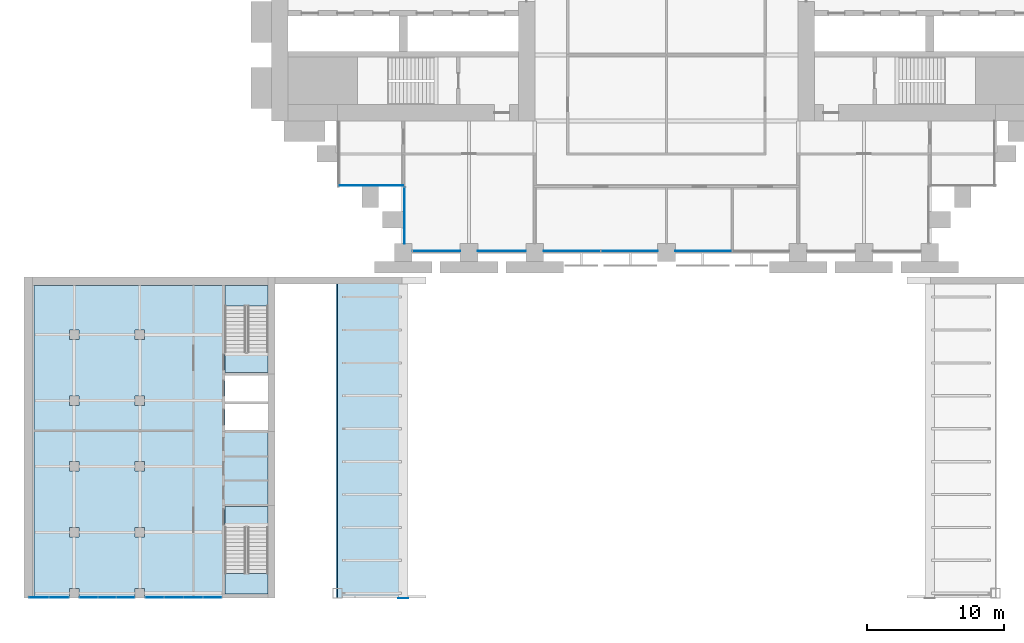
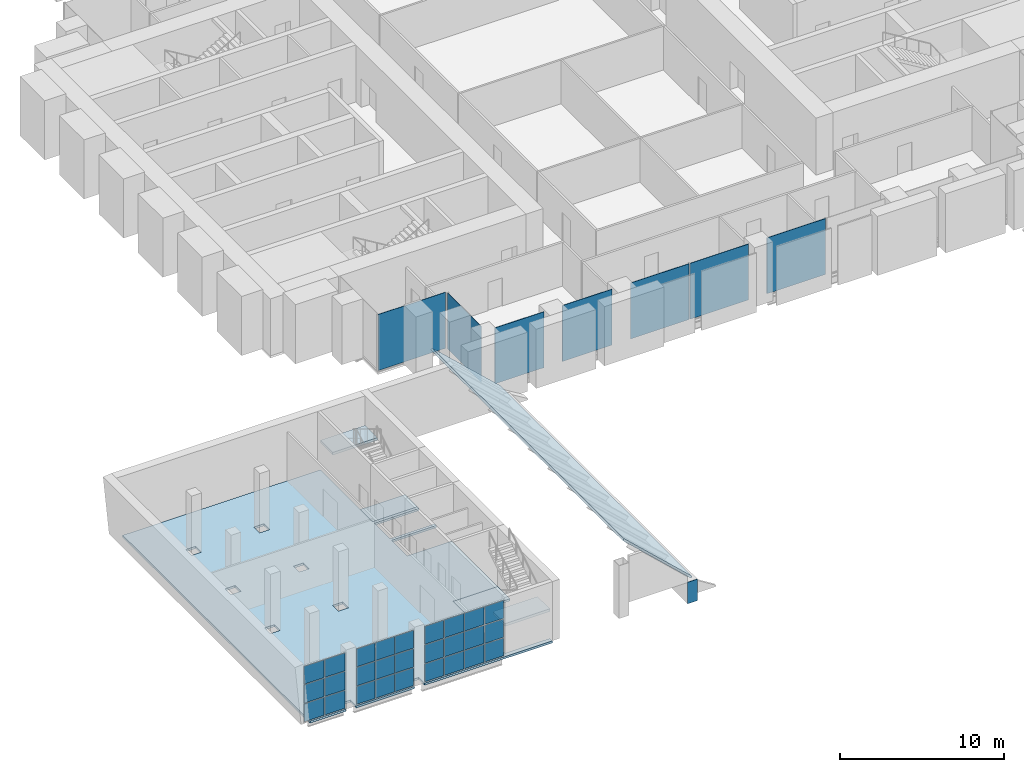
# One storey, part 16 of 30: 35 plates, 6 slabs, 8 elements without a shape of their own.
"""IFC4 building model written with IfcOpenShell, lengths in metres."""

from ifc_helpers import new_model, si_unit, direction, frame, origin, origin_2d, place, context, subcontext, project, spatial, polyline, rectangle, outline, extrude, material, layer, layer_set, type_object, element, aggregate, save


model = new_model("IFC4")

# Units and contexts
model_context = context("Model", 3, precision=1e-05, world=origin(), true_north=direction((0.0, 1.0)))
body_context = subcontext(model_context, "Body", "Model", "MODEL_VIEW")
ifc_project = project(units=[si_unit("LENGTHUNIT", "METRE"), si_unit("AREAUNIT", "SQUARE_METRE"), si_unit("VOLUMEUNIT", "CUBIC_METRE"), si_unit("PLANEANGLEUNIT", "RADIAN"), si_unit("MASSUNIT", "GRAM", prefix="KILO")], contexts=[model_context])

# Site, building, storey
site_placement = place(None, origin())
site = spatial("IfcSite", under=ifc_project, at=site_placement, CompositionType="ELEMENT")
building_placement = place(site_placement, origin())
building = spatial("IfcBuilding", under=site, at=building_placement, Name="Baori Bourse Tower", CompositionType="ELEMENT")
storey_placement = place(building_placement, frame((0.0, 0.0, 17.0)))
storey = spatial("IfcBuildingStorey", under=building, at=storey_placement, Name="L02", CompositionType="ELEMENT", Elevation=17.0)

# Curtain wall, plates
ifc_material_1 = material(Name="Pale anodised aluminium", Category="aluminium")
curtain_wall_type_1 = type_object("IfcCurtainWallType", Name="CW1 Curtain wall", PredefinedType="NOTDEFINED", material=ifc_material_1)
curtain_wall_1_placement = place(storey_placement, origin())
curtain_wall_1 = element("IfcCurtainWall", 1, at=curtain_wall_1_placement, inside=storey, type_object=curtain_wall_type_1, Name="Curtain wall CW1 L02 11", PredefinedType="NOTDEFINED")
ifc_material_2 = material(Name="Clear glass", Category="glass")
ifc_layer_1 = layer(ifc_material_2, 0.033935546875)
ifc_layer_set_1 = layer_set([ifc_layer_1], Name="CW1 Curtain wall panel")
plate_type_1 = type_object("IfcPlateType", Name="CW1 Curtain wall panel", PredefinedType="CURTAIN_PANEL", material=ifc_layer_set_1)
plate_1_placement = place(storey_placement, frame((12.030029296875, 0.10009765625, 0.080078125), z_axis=(0.0, 0.0, 1.0), x_axis=(1.0, 0.0, 0.0)))
plate_1 = element("IfcPlate", 2, at=plate_1_placement, type_object=plate_type_1, Name="Curtain wall CW1 panel", PredefinedType="CURTAIN_PANEL", context=body_context, shape_type="SweptSolid", body=[
    extrude(rectangle(XDim=3.43994140625, YDim=0.033935546875, at=origin_2d()), origin(), (0.0, 0.0, 1.0), 4.159912109375),
])
plate_2_placement = place(storey_placement, frame((16.800048828125, 0.10009765625, 0.080078125), z_axis=(0.0, 0.0, 1.0), x_axis=(1.0, 0.0, 0.0)))
plate_2 = element("IfcPlate", 3, at=plate_2_placement, type_object=plate_type_1, Name="Curtain wall CW1 panel", PredefinedType="CURTAIN_PANEL", context=body_context, shape_type="SweptSolid", body=[
    extrude(rectangle(XDim=3.5, YDim=0.033935546875, at=origin_2d()), origin(), (0.0, 0.0, 1.0), 4.159912109375),
])
plate_3_placement = place(storey_placement, frame((21.909912109375, 0.10009765625, 0.080078125), z_axis=(0.0, 0.0, 1.0), x_axis=(1.0, 0.0, 0.0)))
plate_3 = element("IfcPlate", 4, at=plate_3_placement, type_object=plate_type_1, Name="Curtain wall CW1 panel", PredefinedType="CURTAIN_PANEL", context=body_context, shape_type="SweptSolid", body=[
    extrude(rectangle(XDim=4.1201171875, YDim=0.033935546875, at=origin_2d()), origin(), (0.0, 0.0, 1.0), 4.159912109375),
])
plate_4_placement = place(storey_placement, frame((26.090087890625, 0.10009765625, 0.080078125), z_axis=(0.0, 0.0, 1.0), x_axis=(1.0, 0.0, 0.0)))
plate_4 = element("IfcPlate", 5, at=plate_4_placement, type_object=plate_type_1, Name="Curtain wall CW1 panel", PredefinedType="CURTAIN_PANEL", context=body_context, shape_type="SweptSolid", body=[
    extrude(rectangle(XDim=4.1201171875, YDim=0.033935546875, at=origin_2d()), origin(), (0.0, 0.0, 1.0), 4.159912109375),
])
plate_5_placement = place(storey_placement, frame((31.510009765625, 0.10009765625, 0.080078125), z_axis=(0.0, 0.0, 1.0), x_axis=(1.0, 0.0, 0.0)))
plate_5 = element("IfcPlate", 6, at=plate_5_placement, type_object=plate_type_1, Name="Curtain wall CW1 panel", PredefinedType="CURTAIN_PANEL", context=body_context, shape_type="SweptSolid", body=[
    extrude(rectangle(XDim=4.1201171875, YDim=0.033935546875, at=origin_2d()), origin(), (0.0, 0.0, 1.0), 4.159912109375),
])
aggregate(curtain_wall_1, [plate_1, plate_2, plate_3, plate_4, plate_5])

# Curtain wall, plate
ifc_material_3 = material(Name="Pale anodised aluminium", Category="aluminium")
curtain_wall_type_2 = type_object("IfcCurtainWallType", Name="CW2 Curtain wall", PredefinedType="NOTDEFINED", material=ifc_material_3)
curtain_wall_2_placement = place(storey_placement, origin())
curtain_wall_2 = element("IfcCurtainWall", 7, at=curtain_wall_2_placement, inside=storey, type_object=curtain_wall_type_2, Name="Curtain wall CW2 L02 9", PredefinedType="NOTDEFINED")
ifc_material_4 = material(Name="Clear glass", Category="glass")
ifc_layer_2 = layer(ifc_material_4, 0.030029296875)
ifc_layer_set_2 = layer_set([ifc_layer_2], Name="CW2 Curtain wall panel")
plate_type_2 = type_object("IfcPlateType", Name="CW2 Curtain wall panel", PredefinedType="CURTAIN_PANEL", material=ifc_layer_set_2)
plate_6_placement = place(storey_placement, frame((7.2275390625, 4.889892578125, 0.070068359375), z_axis=(0.0, 0.0, 1.0), x_axis=(1.0, 0.0, 0.0)))
plate_6 = element("IfcPlate", 8, at=plate_6_placement, type_object=plate_type_2, Name="Curtain wall CW2 panel", PredefinedType="CURTAIN_PANEL", context=body_context, shape_type="SweptSolid", body=[
    extrude(rectangle(XDim=4.7451171875, YDim=0.030029296875, at=origin_2d()), origin(), (0.0, 0.0, 1.0), 4.169921875),
])
aggregate(curtain_wall_2, [plate_6])

curtain_wall_3_placement = place(storey_placement, origin())
curtain_wall_3 = element("IfcCurtainWall", 9, at=curtain_wall_3_placement, inside=storey, type_object=curtain_wall_type_2, Name="Curtain wall CW2 L02 10", PredefinedType="NOTDEFINED")
plate_7_placement = place(storey_placement, frame((9.68994140625, 2.697509765625, 0.070068359375), z_axis=(0.0, 0.0, 1.0), x_axis=(0.0, -1.0, 0.0)))
plate_7 = element("IfcPlate", 10, at=plate_7_placement, type_object=plate_type_2, Name="Curtain wall CW2 panel", PredefinedType="CURTAIN_PANEL", context=body_context, shape_type="SweptSolid", body=[
    extrude(rectangle(XDim=4.094970703125, YDim=0.030029296875, at=origin_2d()), origin(), (0.0, 0.0, 1.0), 4.169921875),
])
aggregate(curtain_wall_3, [plate_7])

# Stair, slab
ifc_material_5 = material(Name="Concrete f'c 40 MPa", Category="concrete")
stair_type = type_object("IfcStairType", Name="Wing exit stair 1500", PredefinedType="HALF_TURN_STAIR", material=ifc_material_5)
stair_1_placement = place(storey_placement, origin())
stair_1 = element("IfcStair", 11, at=stair_1_placement, inside=storey, type_object=stair_type, Name="L02 Exit stair WA", PredefinedType="HALF_TURN_STAIR")
ifc_material_6 = material(Name="Concrete f'c 40 MPa", Category="concrete")
ifc_layer_3 = layer(ifc_material_6, 0.159912109375)
ifc_layer_set_3 = layer_set([ifc_layer_3], Name="Exit stair arrival landing 160")
slab_type_1 = type_object("IfcSlabType", Name="Exit stair arrival landing 160", PredefinedType="LANDING", material=ifc_layer_set_3)
slab_1_placement = place(storey_placement, frame((0.0, 0.0, -0.159912109375)))
slab_1 = element("IfcSlab", 12, at=slab_1_placement, type_object=slab_type_1, Name="L02 exit stair WA arrival landing", PredefinedType="LANDING", context=body_context, shape_type="SweptSolid", body=[
    extrude(outline(polyline([(-0.25, -7.258544921875), (-3.39990234375, -7.258544921875), (-3.39990234375, -8.760009765625), (-0.25, -8.760009765625), (-0.25, -7.258544921875)])), origin(), (0.0, 0.0, 1.0), 0.159912109375),
])

stair_2_placement = place(storey_placement, origin())
stair_2 = element("IfcStair", 13, at=stair_2_placement, inside=storey, type_object=stair_type, Name="L02 Exit stair WB", PredefinedType="HALF_TURN_STAIR")
slab_2_placement = place(storey_placement, frame((0.0, 0.0, -0.159912109375)))
slab_2 = element("IfcSlab", 14, at=slab_2_placement, type_object=slab_type_1, Name="L02 exit stair WB arrival landing", PredefinedType="LANDING", context=body_context, shape_type="SweptSolid", body=[
    extrude(outline(polyline([(-3.39990234375, -20.04150390625), (-0.25, -20.04150390625), (-0.25, -18.5400390625), (-3.39990234375, -18.5400390625), (-3.39990234375, -20.04150390625)])), origin(), (0.0, 0.0, 1.0), 0.159912109375),
])

# Plate
ifc_material_7 = material(Name="Steel A572 Gr 50", Category="steel")
ifc_layer_4 = layer(ifc_material_7, 0.030029296875)
ifc_layer_set_4 = layer_set([ifc_layer_4], Name="Girder end plate 30")
plate_type_3 = type_object("IfcPlateType", Name="Girder end plate 30", PredefinedType="SHEET", material=ifc_layer_set_4)
plate_8_placement = place(storey_placement, frame((0.0, 0.0, -0.55517578125)))
element("IfcPlate", 15, at=plate_8_placement, inside=storey, type_object=plate_type_3, Name="Girder end plate", PredefinedType="SHEET", context=body_context, shape_type="SweptSolid", body=[
    extrude(outline(polyline([(9.25, -25.22998046875), (9.949951171875, -25.22998046875), (9.949951171875, -25.199951171875), (9.25, -25.199951171875), (9.25, -25.22998046875)])), origin(), (0.0, 0.0, 1.0), 1.599853515625),
])

# Slabs
ifc_material_8 = material(Name="Concrete f'c 40 MPa", Category="concrete")
ifc_layer_5 = layer(ifc_material_8, 0.14990234375)
ifc_layer_set_5 = layer_set([ifc_layer_5], Name="Hall roof deck 150")
slab_type_2 = type_object("IfcSlabType", Name="Hall roof deck 150", PredefinedType="ROOF", material=ifc_layer_set_5)
slab_3_placement = place(storey_placement, frame((4.800048828125, -25.199951171875, 5.8310546875), z_axis=(0.682610869384, 0.0, 0.730782047534), x_axis=(0.730782047534, 0.0, -0.682610869384)))
element("IfcSlab", 16, at=slab_3_placement, inside=storey, type_object=slab_type_2, Name="wing/L02/deck/001", PredefinedType="ROOF", context=body_context, shape_type="SweptSolid", body=[
    extrude(outline(polyline([(0.0, 0.0), (6.56837266914413, 0.0), (6.56837266914413, 23.39990234375), (0.0, 23.39990234375), (0.0, 0.0)])), origin(), (0.0, 0.0, -1.0), 0.14990234375),
])
ifc_material_9 = material(Name="Concrete f'c 40 MPa", Category="concrete")
ifc_layer_6 = layer(ifc_material_9, 0.159912109375)
ifc_layer_set_6 = layer_set([ifc_layer_6], Name="Wing floor slab 160")
slab_type_3 = type_object("IfcSlabType", Name="Wing floor slab 160", PredefinedType="FLOOR", material=ifc_layer_set_6)
slab_4_placement = place(storey_placement, frame((0.0, 0.0, -0.159912109375)))
element("IfcSlab", 17, at=slab_4_placement, inside=storey, type_object=slab_type_3, Name="wing/L02/Wfloor/001", PredefinedType="FLOOR", context=body_context, shape_type="SweptSolid", body=[
    extrude(outline(polyline([(-0.25, -10.860107421875), (-3.39990234375, -10.860107421875), (-3.39990234375, -8.9599609375), (-0.25, -8.9599609375), (-0.25, -8.760009765625), (-3.39990234375, -8.760009765625), (-3.39990234375, -2.39990234375), (-17.310791015625, -2.39990234375), (-17.310791015625, -25.199951171875), (-14.75, -25.199951171875), (-14.75, -24.5), (-14.050048828125, -24.5), (-14.050048828125, -25.199951171875), (-9.949951171875, -25.199951171875), (-9.949951171875, -24.5), (-9.25, -24.5), (-9.25, -25.199951171875), (-0.25, -25.199951171875), (-0.25, -24.89990234375), (-3.39990234375, -24.89990234375), (-3.39990234375, -18.5400390625), (-0.25, -18.5400390625), (-0.25, -12.9599609375), (-3.39990234375, -12.9599609375), (-3.39990234375, -11.06005859375), (-0.25, -11.06005859375), (-0.25, -10.860107421875)]), holes=[polyline([(-14.75, -20.050048828125), (-14.75, -20.75), (-14.050048828125, -20.75), (-14.050048828125, -20.050048828125), (-14.75, -20.050048828125)]), polyline([(-14.050048828125, -15.25), (-14.75, -15.25), (-14.75, -15.949951171875), (-14.050048828125, -15.949951171875), (-14.050048828125, -15.25)]), polyline([(-14.050048828125, -11.14990234375), (-14.050048828125, -10.449951171875), (-14.75, -10.449951171875), (-14.75, -11.14990234375), (-14.050048828125, -11.14990234375)]), polyline([(-14.75, -6.35009765625), (-14.050048828125, -6.35009765625), (-14.050048828125, -5.64990234375), (-14.75, -5.64990234375), (-14.75, -6.35009765625)]), polyline([(-9.25, -20.050048828125), (-9.949951171875, -20.050048828125), (-9.949951171875, -20.75), (-9.25, -20.75), (-9.25, -20.050048828125)]), polyline([(-9.25, -15.949951171875), (-9.25, -15.25), (-9.949951171875, -15.25), (-9.949951171875, -15.949951171875), (-9.25, -15.949951171875)]), polyline([(-9.949951171875, -11.14990234375), (-9.25, -11.14990234375), (-9.25, -10.449951171875), (-9.949951171875, -10.449951171875), (-9.949951171875, -11.14990234375)]), polyline([(-9.949951171875, -5.64990234375), (-9.949951171875, -6.35009765625), (-9.25, -6.35009765625), (-9.25, -5.64990234375), (-9.949951171875, -5.64990234375)])]), origin(), (0.0, 0.0, 1.0), 0.159912109375),
])

# Curtain wall, plates
ifc_material_10 = material(Name="Pale anodised aluminium", Category="aluminium")
ifc_layer_7 = layer(ifc_material_10, 0.10009765625)
ifc_layer_set_7 = layer_set([ifc_layer_7], Name="Wing curtain wall")
curtain_wall_type_3 = type_object("IfcCurtainWallType", Name="Wing curtain wall", PredefinedType="NOTDEFINED", material=ifc_layer_set_7)
curtain_wall_4_placement = place(storey_placement, origin())
curtain_wall_4 = element("IfcCurtainWall", 18, at=curtain_wall_4_placement, inside=storey, type_object=curtain_wall_type_3, Name="wing/L02/Wcw/001", PredefinedType="NOTDEFINED")
ifc_material_11 = material(Name="Clear glass", Category="glass")
ifc_layer_8 = layer(ifc_material_11, 0.028076171875)
ifc_layer_set_8 = layer_set([ifc_layer_8], Name="Wing glass panel 28")
plate_type_4 = type_object("IfcPlateType", Name="Wing glass panel 28", PredefinedType="CURTAIN_PANEL", material=ifc_layer_set_8)
plate_9_placement = place(storey_placement, frame((-16.98486328125, -25.14990234375, 0.06005859375), z_axis=(0.0, 0.0, 1.0), x_axis=(1.0, 0.0, 0.0)))
plate_9 = element("IfcPlate", 19, at=plate_9_placement, type_object=plate_type_4, Name="X12 panel 1.1", PredefinedType="CURTAIN_PANEL", context=body_context, shape_type="SweptSolid", body=[
    extrude(rectangle(XDim=1.409912109375, YDim=0.028076171875, at=origin_2d()), origin(), (0.0, 0.0, 1.0), 1.3232421875),
])
plate_10_placement = place(storey_placement, frame((-16.98486328125, -25.14990234375, 1.443359375), z_axis=(0.0, 0.0, 1.0), x_axis=(1.0, 0.0, 0.0)))
plate_10 = element("IfcPlate", 20, at=plate_10_placement, type_object=plate_type_4, Name="X12 panel 1.2", PredefinedType="CURTAIN_PANEL", context=body_context, shape_type="SweptSolid", body=[
    extrude(rectangle(XDim=1.409912109375, YDim=0.028076171875, at=origin_2d()), origin(), (0.0, 0.0, 1.0), 1.353271484375),
])
plate_11_placement = place(storey_placement, frame((-16.98486328125, -25.14990234375, 2.856689453125), z_axis=(0.0, 0.0, 1.0), x_axis=(1.0, 0.0, 0.0)))
plate_11 = element("IfcPlate", 21, at=plate_11_placement, type_object=plate_type_4, Name="X12 panel 1.3", PredefinedType="CURTAIN_PANEL", context=body_context, shape_type="SweptSolid", body=[
    extrude(rectangle(XDim=1.409912109375, YDim=0.028076171875, at=origin_2d()), origin(), (0.0, 0.0, 1.0), 1.3232421875),
])
plate_12_placement = place(storey_placement, frame((-15.514892578125, -25.14990234375, 0.06005859375), z_axis=(0.0, 0.0, 1.0), x_axis=(1.0, 0.0, 0.0)))
plate_12 = element("IfcPlate", 22, at=plate_12_placement, type_object=plate_type_4, Name="X12 panel 2.1", PredefinedType="CURTAIN_PANEL", context=body_context, shape_type="SweptSolid", body=[
    extrude(rectangle(XDim=1.409912109375, YDim=0.028076171875, at=origin_2d()), origin(), (0.0, 0.0, 1.0), 1.3232421875),
])
plate_13_placement = place(storey_placement, frame((-15.514892578125, -25.14990234375, 1.443359375), z_axis=(0.0, 0.0, 1.0), x_axis=(1.0, 0.0, 0.0)))
plate_13 = element("IfcPlate", 23, at=plate_13_placement, type_object=plate_type_4, Name="X12 panel 2.2", PredefinedType="CURTAIN_PANEL", context=body_context, shape_type="SweptSolid", body=[
    extrude(rectangle(XDim=1.409912109375, YDim=0.028076171875, at=origin_2d()), origin(), (0.0, 0.0, 1.0), 1.353271484375),
])
plate_14_placement = place(storey_placement, frame((-15.514892578125, -25.14990234375, 2.856689453125), z_axis=(0.0, 0.0, 1.0), x_axis=(1.0, 0.0, 0.0)))
plate_14 = element("IfcPlate", 24, at=plate_14_placement, type_object=plate_type_4, Name="X12 panel 2.3", PredefinedType="CURTAIN_PANEL", context=body_context, shape_type="SweptSolid", body=[
    extrude(rectangle(XDim=1.409912109375, YDim=0.028076171875, at=origin_2d()), origin(), (0.0, 0.0, 1.0), 1.3232421875),
])
aggregate(curtain_wall_4, [plate_9, plate_10, plate_11, plate_12, plate_13, plate_14])

curtain_wall_5_placement = place(storey_placement, origin())
curtain_wall_5 = element("IfcCurtainWall", 25, at=curtain_wall_5_placement, inside=storey, type_object=curtain_wall_type_3, Name="wing/L02/Wcw/002", PredefinedType="NOTDEFINED")
plate_15_placement = place(storey_placement, frame((-13.3515625, -25.14990234375, 0.06005859375), z_axis=(0.0, 0.0, 1.0), x_axis=(1.0, 0.0, 0.0)))
plate_15 = element("IfcPlate", 26, at=plate_15_placement, type_object=plate_type_4, Name="X12 panel 1.1", PredefinedType="CURTAIN_PANEL", context=body_context, shape_type="SweptSolid", body=[
    extrude(rectangle(XDim=1.276611328125, YDim=0.028076171875, at=origin_2d()), origin(), (0.0, 0.0, 1.0), 1.3232421875),
])
plate_16_placement = place(storey_placement, frame((-13.3515625, -25.14990234375, 1.443359375), z_axis=(0.0, 0.0, 1.0), x_axis=(1.0, 0.0, 0.0)))
plate_16 = element("IfcPlate", 27, at=plate_16_placement, type_object=plate_type_4, Name="X12 panel 1.2", PredefinedType="CURTAIN_PANEL", context=body_context, shape_type="SweptSolid", body=[
    extrude(rectangle(XDim=1.276611328125, YDim=0.028076171875, at=origin_2d()), origin(), (0.0, 0.0, 1.0), 1.353271484375),
])
plate_17_placement = place(storey_placement, frame((-13.3515625, -25.14990234375, 2.856689453125), z_axis=(0.0, 0.0, 1.0), x_axis=(1.0, 0.0, 0.0)))
plate_17 = element("IfcPlate", 28, at=plate_17_placement, type_object=plate_type_4, Name="X12 panel 1.3", PredefinedType="CURTAIN_PANEL", context=body_context, shape_type="SweptSolid", body=[
    extrude(rectangle(XDim=1.276611328125, YDim=0.028076171875, at=origin_2d()), origin(), (0.0, 0.0, 1.0), 1.3232421875),
])
plate_18_placement = place(storey_placement, frame((-12.0, -25.14990234375, 0.06005859375), z_axis=(0.0, 0.0, 1.0), x_axis=(1.0, 0.0, 0.0)))
plate_18 = element("IfcPlate", 29, at=plate_18_placement, type_object=plate_type_4, Name="X12 panel 2.1", PredefinedType="CURTAIN_PANEL", context=body_context, shape_type="SweptSolid", body=[
    extrude(rectangle(XDim=1.306640625, YDim=0.028076171875, at=origin_2d()), origin(), (0.0, 0.0, 1.0), 1.3232421875),
])
plate_19_placement = place(storey_placement, frame((-12.0, -25.14990234375, 1.443359375), z_axis=(0.0, 0.0, 1.0), x_axis=(1.0, 0.0, 0.0)))
plate_19 = element("IfcPlate", 30, at=plate_19_placement, type_object=plate_type_4, Name="X12 panel 2.2", PredefinedType="CURTAIN_PANEL", context=body_context, shape_type="SweptSolid", body=[
    extrude(rectangle(XDim=1.306640625, YDim=0.028076171875, at=origin_2d()), origin(), (0.0, 0.0, 1.0), 1.353271484375),
])
plate_20_placement = place(storey_placement, frame((-12.0, -25.14990234375, 2.856689453125), z_axis=(0.0, 0.0, 1.0), x_axis=(1.0, 0.0, 0.0)))
plate_20 = element("IfcPlate", 31, at=plate_20_placement, type_object=plate_type_4, Name="X12 panel 2.3", PredefinedType="CURTAIN_PANEL", context=body_context, shape_type="SweptSolid", body=[
    extrude(rectangle(XDim=1.306640625, YDim=0.028076171875, at=origin_2d()), origin(), (0.0, 0.0, 1.0), 1.3232421875),
])
plate_21_placement = place(storey_placement, frame((-10.6484375, -25.14990234375, 0.06005859375), z_axis=(0.0, 0.0, 1.0), x_axis=(1.0, 0.0, 0.0)))
plate_21 = element("IfcPlate", 32, at=plate_21_placement, type_object=plate_type_4, Name="X12 panel 3.1", PredefinedType="CURTAIN_PANEL", context=body_context, shape_type="SweptSolid", body=[
    extrude(rectangle(XDim=1.276611328125, YDim=0.028076171875, at=origin_2d()), origin(), (0.0, 0.0, 1.0), 1.3232421875),
])
plate_22_placement = place(storey_placement, frame((-10.6484375, -25.14990234375, 1.443359375), z_axis=(0.0, 0.0, 1.0), x_axis=(1.0, 0.0, 0.0)))
plate_22 = element("IfcPlate", 33, at=plate_22_placement, type_object=plate_type_4, Name="X12 panel 3.2", PredefinedType="CURTAIN_PANEL", context=body_context, shape_type="SweptSolid", body=[
    extrude(rectangle(XDim=1.276611328125, YDim=0.028076171875, at=origin_2d()), origin(), (0.0, 0.0, 1.0), 1.353271484375),
])
plate_23_placement = place(storey_placement, frame((-10.6484375, -25.14990234375, 2.856689453125), z_axis=(0.0, 0.0, 1.0), x_axis=(1.0, 0.0, 0.0)))
plate_23 = element("IfcPlate", 34, at=plate_23_placement, type_object=plate_type_4, Name="X12 panel 3.3", PredefinedType="CURTAIN_PANEL", context=body_context, shape_type="SweptSolid", body=[
    extrude(rectangle(XDim=1.276611328125, YDim=0.028076171875, at=origin_2d()), origin(), (0.0, 0.0, 1.0), 1.3232421875),
])
aggregate(curtain_wall_5, [plate_15, plate_16, plate_17, plate_18, plate_19, plate_20, plate_21, plate_22, plate_23])

curtain_wall_6_placement = place(storey_placement, origin())
curtain_wall_6 = element("IfcCurtainWall", 35, at=curtain_wall_6_placement, inside=storey, type_object=curtain_wall_type_3, Name="wing/L02/Wcw/003", PredefinedType="NOTDEFINED")
plate_24_placement = place(storey_placement, frame((-8.52880859375, -25.14990234375, 0.06005859375), z_axis=(0.0, 0.0, 1.0), x_axis=(1.0, 0.0, 0.0)))
plate_24 = element("IfcPlate", 36, at=plate_24_placement, type_object=plate_type_4, Name="X12 panel 1.1", PredefinedType="CURTAIN_PANEL", context=body_context, shape_type="SweptSolid", body=[
    extrude(rectangle(XDim=1.322509765625, YDim=0.028076171875, at=origin_2d()), origin(), (0.0, 0.0, 1.0), 1.3232421875),
])
plate_25_placement = place(storey_placement, frame((-8.52880859375, -25.14990234375, 1.443359375), z_axis=(0.0, 0.0, 1.0), x_axis=(1.0, 0.0, 0.0)))
plate_25 = element("IfcPlate", 37, at=plate_25_placement, type_object=plate_type_4, Name="X12 panel 1.2", PredefinedType="CURTAIN_PANEL", context=body_context, shape_type="SweptSolid", body=[
    extrude(rectangle(XDim=1.322509765625, YDim=0.028076171875, at=origin_2d()), origin(), (0.0, 0.0, 1.0), 1.353271484375),
])
plate_26_placement = place(storey_placement, frame((-8.52880859375, -25.14990234375, 2.856689453125), z_axis=(0.0, 0.0, 1.0), x_axis=(1.0, 0.0, 0.0)))
plate_26 = element("IfcPlate", 38, at=plate_26_placement, type_object=plate_type_4, Name="X12 panel 1.3", PredefinedType="CURTAIN_PANEL", context=body_context, shape_type="SweptSolid", body=[
    extrude(rectangle(XDim=1.322509765625, YDim=0.028076171875, at=origin_2d()), origin(), (0.0, 0.0, 1.0), 1.3232421875),
])
plate_27_placement = place(storey_placement, frame((-7.13134765625, -25.14990234375, 0.06005859375), z_axis=(0.0, 0.0, 1.0), x_axis=(1.0, 0.0, 0.0)))
plate_27 = element("IfcPlate", 39, at=plate_27_placement, type_object=plate_type_4, Name="X12 panel 2.1", PredefinedType="CURTAIN_PANEL", context=body_context, shape_type="SweptSolid", body=[
    extrude(rectangle(XDim=1.3525390625, YDim=0.028076171875, at=origin_2d()), origin(), (0.0, 0.0, 1.0), 1.3232421875),
])
plate_28_placement = place(storey_placement, frame((-7.13134765625, -25.14990234375, 1.443359375), z_axis=(0.0, 0.0, 1.0), x_axis=(1.0, 0.0, 0.0)))
plate_28 = element("IfcPlate", 40, at=plate_28_placement, type_object=plate_type_4, Name="X12 panel 2.2", PredefinedType="CURTAIN_PANEL", context=body_context, shape_type="SweptSolid", body=[
    extrude(rectangle(XDim=1.3525390625, YDim=0.028076171875, at=origin_2d()), origin(), (0.0, 0.0, 1.0), 1.353271484375),
])
plate_29_placement = place(storey_placement, frame((-7.13134765625, -25.14990234375, 2.856689453125), z_axis=(0.0, 0.0, 1.0), x_axis=(1.0, 0.0, 0.0)))
plate_29 = element("IfcPlate", 41, at=plate_29_placement, type_object=plate_type_4, Name="X12 panel 2.3", PredefinedType="CURTAIN_PANEL", context=body_context, shape_type="SweptSolid", body=[
    extrude(rectangle(XDim=1.3525390625, YDim=0.028076171875, at=origin_2d()), origin(), (0.0, 0.0, 1.0), 1.3232421875),
])
plate_30_placement = place(storey_placement, frame((-5.71875, -25.14990234375, 0.06005859375), z_axis=(0.0, 0.0, 1.0), x_axis=(1.0, 0.0, 0.0)))
plate_30 = element("IfcPlate", 42, at=plate_30_placement, type_object=plate_type_4, Name="X12 panel 3.1", PredefinedType="CURTAIN_PANEL", context=body_context, shape_type="SweptSolid", body=[
    extrude(rectangle(XDim=1.3525390625, YDim=0.028076171875, at=origin_2d()), origin(), (0.0, 0.0, 1.0), 1.3232421875),
])
plate_31_placement = place(storey_placement, frame((-5.71875, -25.14990234375, 1.443359375), z_axis=(0.0, 0.0, 1.0), x_axis=(1.0, 0.0, 0.0)))
plate_31 = element("IfcPlate", 43, at=plate_31_placement, type_object=plate_type_4, Name="X12 panel 3.2", PredefinedType="CURTAIN_PANEL", context=body_context, shape_type="SweptSolid", body=[
    extrude(rectangle(XDim=1.3525390625, YDim=0.028076171875, at=origin_2d()), origin(), (0.0, 0.0, 1.0), 1.353271484375),
])
plate_32_placement = place(storey_placement, frame((-5.71875, -25.14990234375, 2.856689453125), z_axis=(0.0, 0.0, 1.0), x_axis=(1.0, 0.0, 0.0)))
plate_32 = element("IfcPlate", 44, at=plate_32_placement, type_object=plate_type_4, Name="X12 panel 3.3", PredefinedType="CURTAIN_PANEL", context=body_context, shape_type="SweptSolid", body=[
    extrude(rectangle(XDim=1.3525390625, YDim=0.028076171875, at=origin_2d()), origin(), (0.0, 0.0, 1.0), 1.3232421875),
])
plate_33_placement = place(storey_placement, frame((-4.3212890625, -25.14990234375, 0.06005859375), z_axis=(0.0, 0.0, 1.0), x_axis=(1.0, 0.0, 0.0)))
plate_33 = element("IfcPlate", 45, at=plate_33_placement, type_object=plate_type_4, Name="X12 panel 4.1", PredefinedType="CURTAIN_PANEL", context=body_context, shape_type="SweptSolid", body=[
    extrude(rectangle(XDim=1.322509765625, YDim=0.028076171875, at=origin_2d()), origin(), (0.0, 0.0, 1.0), 1.3232421875),
])
plate_34_placement = place(storey_placement, frame((-4.3212890625, -25.14990234375, 1.443359375), z_axis=(0.0, 0.0, 1.0), x_axis=(1.0, 0.0, 0.0)))
plate_34 = element("IfcPlate", 46, at=plate_34_placement, type_object=plate_type_4, Name="X12 panel 4.2", PredefinedType="CURTAIN_PANEL", context=body_context, shape_type="SweptSolid", body=[
    extrude(rectangle(XDim=1.322509765625, YDim=0.028076171875, at=origin_2d()), origin(), (0.0, 0.0, 1.0), 1.353271484375),
])
plate_35_placement = place(storey_placement, frame((-4.3212890625, -25.14990234375, 2.856689453125), z_axis=(0.0, 0.0, 1.0), x_axis=(1.0, 0.0, 0.0)))
plate_35 = element("IfcPlate", 47, at=plate_35_placement, type_object=plate_type_4, Name="X12 panel 4.3", PredefinedType="CURTAIN_PANEL", context=body_context, shape_type="SweptSolid", body=[
    extrude(rectangle(XDim=1.322509765625, YDim=0.028076171875, at=origin_2d()), origin(), (0.0, 0.0, 1.0), 1.3232421875),
])
aggregate(curtain_wall_6, [plate_24, plate_25, plate_26, plate_27, plate_28, plate_29, plate_30, plate_31, plate_32, plate_33, plate_34, plate_35])

# Slab
ifc_material_12 = material(Name="Concrete f'c 40 MPa", Category="concrete")
ifc_layer_9 = layer(ifc_material_12, 0.199951171875)
ifc_layer_set_9 = layer_set([ifc_layer_9], Name="Wing stair landing 200")
slab_type_4 = type_object("IfcSlabType", Name="Wing stair landing 200", PredefinedType="LANDING", material=ifc_layer_set_9)
slab_5_placement = place(storey_placement, frame((0.0, 0.0, 2.0)))
slab_5 = element("IfcSlab", 48, at=slab_5_placement, type_object=slab_type_4, Name="W-STA landing 1", PredefinedType="LANDING", context=body_context, shape_type="SweptSolid", body=[
    extrude(outline(polyline([(-0.25, -3.89990234375), (-0.25, -2.39990234375), (-3.39990234375, -2.39990234375), (-3.39990234375, -3.89990234375), (-0.25, -3.89990234375)])), origin(), (0.0, 0.0, 1.0), 0.199951171875),
])

aggregate(stair_1, [slab_5, slab_1])

slab_6_placement = place(storey_placement, frame((0.0, 0.0, 2.0)))
slab_6 = element("IfcSlab", 49, at=slab_6_placement, type_object=slab_type_4, Name="W-STB landing 1", PredefinedType="LANDING", context=body_context, shape_type="SweptSolid", body=[
    extrude(outline(polyline([(-3.39990234375, -23.39990234375), (-3.39990234375, -24.89990234375), (-0.25, -24.89990234375), (-0.25, -23.39990234375), (-3.39990234375, -23.39990234375)])), origin(), (0.0, 0.0, 1.0), 0.199951171875),
])

aggregate(stair_2, [slab_6, slab_2])

save(model, "model.ifc")
